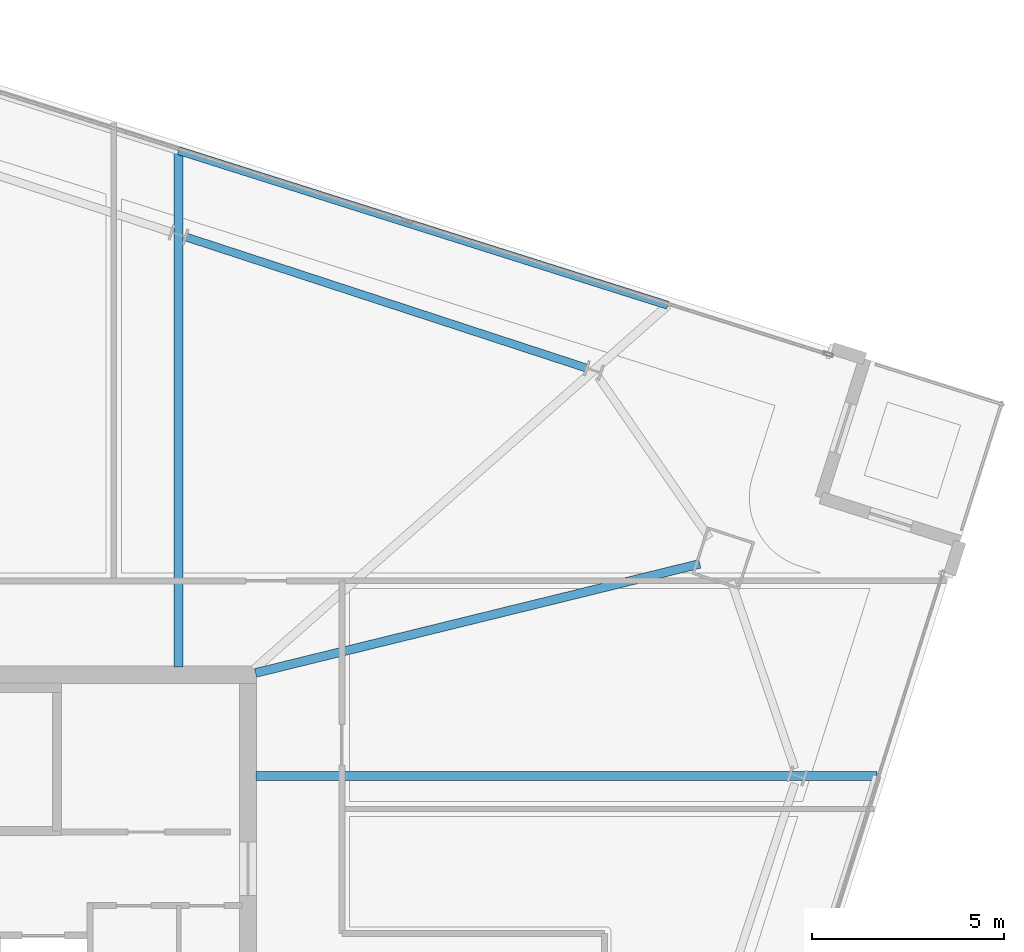
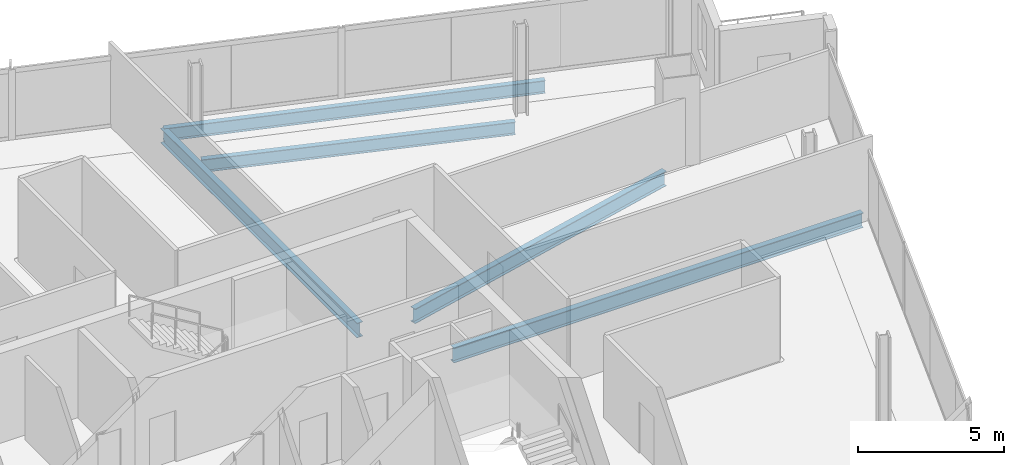
# One storey, part 14 of 26: 5 beams.
"""IFC4 building model written with IfcOpenShell, lengths in metres."""

from ifc_helpers import new_model, si_unit, direction, frame, origin, origin_2d, place, context, subcontext, project, spatial, i_section, extrude, material, material_profile, profile_set, type_object, element, save


model = new_model("IFC4")

# Units and contexts
model_context = context("Model", 3, precision=1e-05, world=origin(), true_north=direction((0.0, 1.0)))
body_context = subcontext(model_context, "Body", "Model", "MODEL_VIEW")
ifc_project = project(units=[si_unit("LENGTHUNIT", "METRE"), si_unit("AREAUNIT", "SQUARE_METRE"), si_unit("VOLUMEUNIT", "CUBIC_METRE"), si_unit("PLANEANGLEUNIT", "RADIAN"), si_unit("MASSUNIT", "GRAM", prefix="KILO")], contexts=[model_context])

# Site, building, storey
site_placement = place(None, origin())
site = spatial("IfcSite", under=ifc_project, at=site_placement, CompositionType="ELEMENT")
building_placement = place(site_placement, origin())
building = spatial("IfcBuilding", under=site, at=building_placement, Name="Haldenkirk Collegiate Tower", CompositionType="ELEMENT")
storey_placement = place(building_placement, frame((0.0, 0.0, 271.199951171875)))
storey = spatial("IfcBuildingStorey", under=building, at=storey_placement, Name="L68", CompositionType="ELEMENT", Elevation=271.199951171875)

# Beams
ifc_material = material(Name="Steel ASTM A992 Grade 50", Category="steel")
ifc_material_profile_1 = material_profile(ifc_material, i_section(OverallWidth=0.22998046875, OverallDepth=0.616943359375, WebThickness=0.01318359375, FlangeThickness=0.022216796875, at=origin_2d()), Name="W24X94")
ifc_profile_set_1 = profile_set([ifc_material_profile_1], Name="Steel ASTM A992 Grade 50")
beam_type_1 = type_object("IfcBeamType", Name="BM-GIRDER-W24X94", PredefinedType="BEAM", material=ifc_profile_set_1)
beam_1_placement = place(storey_placement, frame((56.783935546875, 36.893310546875, -0.578369140625), z_axis=(-0.971153636509, -0.238454637815, 0.0), x_axis=(0.238454637815, -0.971153636509, 0.0)))
element("IfcBeam", 1, at=beam_1_placement, inside=storey, type_object=beam_type_1, Name="L68 primary floor girder 02", PredefinedType="BEAM", context=body_context, shape_type="SweptSolid", body=[
    extrude(i_section(OverallWidth=0.22998046875, OverallDepth=0.616943359375, WebThickness=0.01318359375, FlangeThickness=0.022216796875, at=origin_2d()), origin(), (0.0, 0.0, 1.0), 11.9287109375),
])
beam_2_placement = place(storey_placement, frame((61.40380859375, 31.360107421875, -0.578369140625), z_axis=(-1.0, 0.0, 0.0), x_axis=(0.0, -1.0, 0.0)))
element("IfcBeam", 2, at=beam_2_placement, inside=storey, type_object=beam_type_1, Name="L68 primary floor girder 07", PredefinedType="BEAM", context=body_context, shape_type="SweptSolid", body=[
    extrude(i_section(OverallWidth=0.22998046875, OverallDepth=0.616943359375, WebThickness=0.01318359375, FlangeThickness=0.022216796875, at=origin_2d()), origin(), (0.0, 0.0, 1.0), 16.19873046875),
])
beam_3_placement = place(storey_placement, frame((43.18994140625, 47.670654296875, -0.578369140625), z_axis=(0.0, -1.0, 0.0), x_axis=(1.0, 0.0, 0.0)))
element("IfcBeam", 3, at=beam_3_placement, inside=storey, type_object=beam_type_1, Name="L68 primary floor girder 09", PredefinedType="BEAM", context=body_context, shape_type="SweptSolid", body=[
    extrude(i_section(OverallWidth=0.22998046875, OverallDepth=0.616943359375, WebThickness=0.01318359375, FlangeThickness=0.022216796875, at=origin_2d()), origin(), (0.0, 0.0, 1.0), 13.465576171875),
])
ifc_material_profile_2 = material_profile(ifc_material, i_section(OverallWidth=0.2099609375, OverallDepth=0.537109375, WebThickness=0.010986328125, FlangeThickness=0.017333984375, at=origin_2d()), Name="W21X68")
ifc_profile_set_2 = profile_set([ifc_material_profile_2], Name="Steel ASTM A992 Grade 50")
beam_type_2 = type_object("IfcBeamType", Name="BM-SPANDREL-W21X68", PredefinedType="SPANDREL", material=ifc_profile_set_2)
beam_4_placement = place(storey_placement, frame((53.825439453125, 41.99951171875, -0.538330078125), z_axis=(-0.950402144652, 0.311023734531, 0.0), x_axis=(-0.311023734531, -0.950402144652, 0.0)))
element("IfcBeam", 4, at=beam_4_placement, inside=storey, type_object=beam_type_2, Name="L68 perimeter spandrel beam 06", PredefinedType="SPANDREL", context=body_context, shape_type="SweptSolid", body=[
    extrude(i_section(OverallWidth=0.2099609375, OverallDepth=0.537109375, WebThickness=0.010986328125, FlangeThickness=0.017333984375, at=origin_2d()), origin(), (0.0, 0.0, 1.0), 10.98779296875),
])
beam_5_placement = place(storey_placement, frame((55.948486328125, 43.6357421875, -0.538330078125), z_axis=(-0.953456016091, 0.301532129929, 0.0), x_axis=(-0.301532129929, -0.953456016091, 0.0)))
element("IfcBeam", 5, at=beam_5_placement, inside=storey, type_object=beam_type_2, Name="L68 outer facade edge beam 2A", PredefinedType="SPANDREL", context=body_context, shape_type="SweptSolid", body=[
    extrude(i_section(OverallWidth=0.2099609375, OverallDepth=0.537109375, WebThickness=0.010986328125, FlangeThickness=0.017333984375, at=origin_2d()), origin(), (0.0, 0.0, 1.0), 13.38134765625),
])

save(model, "model.ifc")
